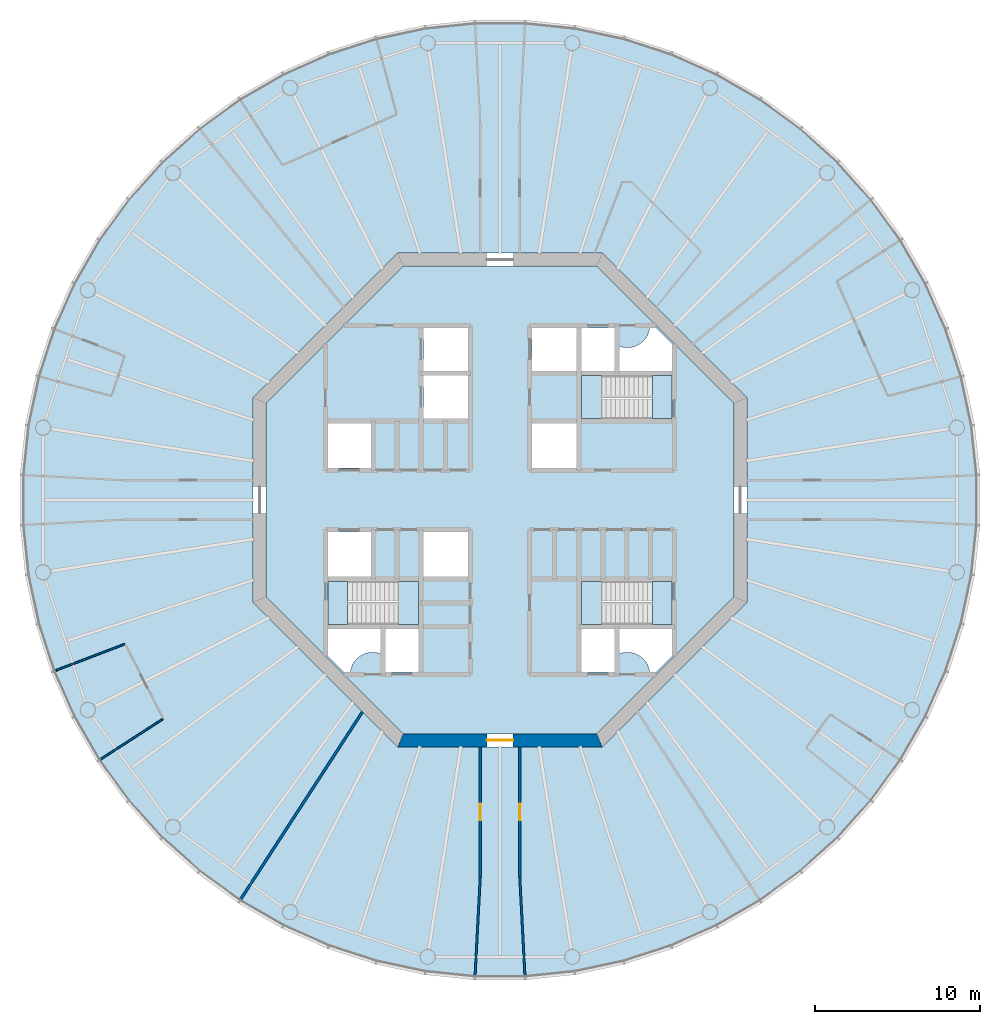
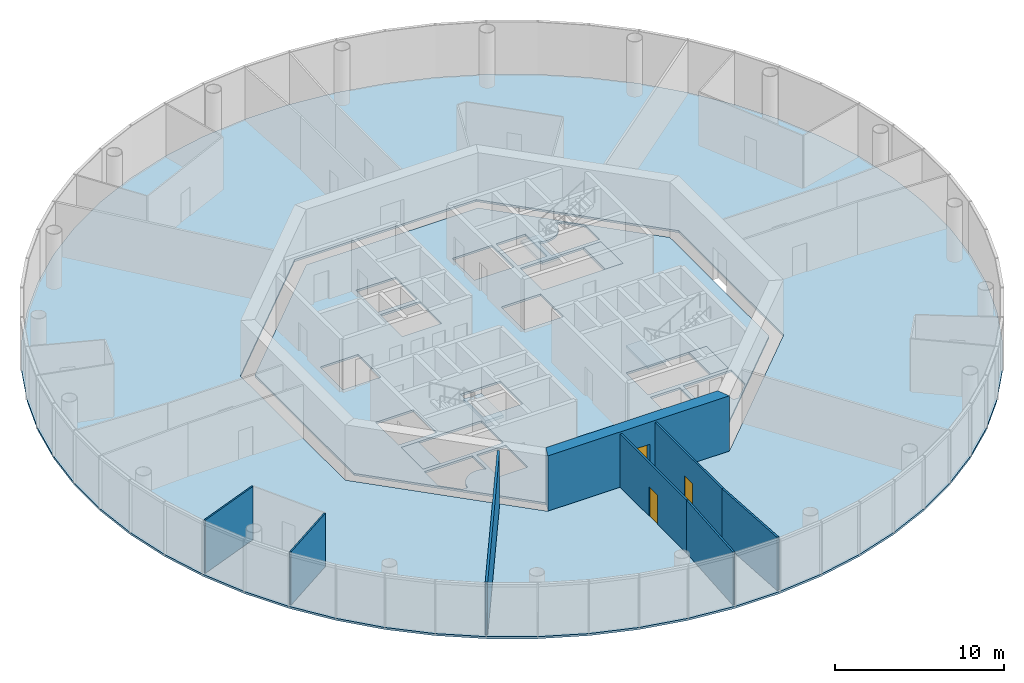
# One storey, part 2 of 13: 8 slabs, 8 walls, 3 doors, 3 openings, 3 elements without a shape of their own.
"""IFC4 building model written with IfcOpenShell, lengths in metres."""

import ifcopenshell
import ifcopenshell.guid

model = None  # the IFC model being written
_history = None  # IfcOwnerHistory: only IFC2X3 demands one
_inside = {}  # id of a spatial element -> (the spatial element, [elements in it])
_under = {}  # id of a project, library or spatial element -> (it, [spatial elements below it])
_declared = {}  # id of a project -> (the project, [libraries it declares])
_typed = {}  # id of a type object -> (the type object, [elements of that type])
_made_of = {}  # id of a material, layer set ... -> (it, [elements and type objects made of it])


def new_model(schema):
    """Start an empty IFC model of exactly this schema.

    Asked for "IFC4X3", IfcOpenShell would pick the latest addendum, in which some entities
    have other attributes; the version numbers below select the first issue.
    IFC2X3 requires an IfcOwnerHistory on every rooted entity: one is made here for all.
    """
    global model, _history
    if schema == "IFC4X3":
        model = ifcopenshell.file(schema_version=(4, 3, 0, 0))
    else:
        model = ifcopenshell.file(schema=schema)
    _inside.clear()
    _under.clear()
    _declared.clear()
    _typed.clear()
    _made_of.clear()
    _history = None
    if model.schema == "IFC2X3":
        org = make("IfcOrganization", Name="unknown")
        user = make(
            "IfcPersonAndOrganization",
            ThePerson=make("IfcPerson", FamilyName="unknown"),
            TheOrganization=org,
        )
        app = make(
            "IfcApplication",
            ApplicationDeveloper=org,
            Version="unknown",
            ApplicationFullName="unknown",
            ApplicationIdentifier="unknown",
        )
        _history = make(
            "IfcOwnerHistory",
            OwningUser=user,
            OwningApplication=app,
            ChangeAction="ADDED",
            CreationDate=0,
        )
    return model


def make(cls, **values):
    """One entity of the class cls with the attributes given. An attribute that is None is left unset."""
    return model.create_entity(
        cls, **{name: value for name, value in values.items() if value is not None}
    )


def rooted(cls, **values):
    """An entity with a GlobalId (a new one), such as an element, a storey or a relation."""
    return make(cls, GlobalId=ifcopenshell.guid.new(), OwnerHistory=_history, **values)


def si_unit(unit_type, name, prefix=None):
    """IfcSIUnit, for example si_unit("LENGTHUNIT", "METRE", prefix="MILLI")."""
    return make("IfcSIUnit", UnitType=unit_type, Prefix=prefix, Name=name)


def assignment(units):
    """IfcUnitAssignment: the units of a project."""
    return None if units is None else make("IfcUnitAssignment", Units=units)


def point(xyz):
    """IfcCartesianPoint."""
    return None if xyz is None else make("IfcCartesianPoint", Coordinates=xyz)


def direction(xyz):
    """IfcDirection."""
    return None if xyz is None else make("IfcDirection", DirectionRatios=xyz)


def frame(location, z_axis=None, x_axis=None):
    """IfcAxis2Placement3D, a coordinate frame: its origin and axes. An axis left out is left unset."""
    return make(
        "IfcAxis2Placement3D",
        Location=point(location),
        Axis=direction(z_axis),
        RefDirection=direction(x_axis),
    )


def frame_2d(location, x_axis=None):
    """IfcAxis2Placement2D, a coordinate frame in the plane: its origin and x axis."""
    return make(
        "IfcAxis2Placement2D", Location=point(location), RefDirection=direction(x_axis)
    )


def origin():
    """The frame at (0, 0, 0) with its axes left unset."""
    return frame((0.0, 0.0, 0.0))


def place(relative_to, where):
    """IfcLocalPlacement: puts the frame where relative to a parent placement (None: the world)."""
    return make(
        "IfcLocalPlacement", PlacementRelTo=relative_to, RelativePlacement=where
    )


def context(
    kind, dimensions, precision=None, world=None, true_north=None, identifier=None
):
    """IfcGeometricRepresentationContext, for example the 3D "Model" context."""
    return make(
        "IfcGeometricRepresentationContext",
        ContextIdentifier=identifier,
        ContextType=kind,
        CoordinateSpaceDimension=dimensions,
        Precision=precision,
        WorldCoordinateSystem=world,
        TrueNorth=true_north,
    )


def subcontext(parent, identifier, kind, view, scale=None):
    """IfcGeometricRepresentationSubContext, for example "Body" below "Model"."""
    return make(
        "IfcGeometricRepresentationSubContext",
        ContextIdentifier=identifier,
        ContextType=kind,
        ParentContext=parent,
        TargetScale=scale,
        TargetView=view,
    )


def project(units=None, contexts=None):
    """IfcProject with its units and contexts."""
    return rooted(
        "IfcProject",
        Name="project",
        RepresentationContexts=contexts,
        UnitsInContext=assignment(units),
    )


def spatial(cls, under=None, at=None, **own):
    """A site, building, storey or space (cls), placed at a placement, below another one or the project."""
    s = rooted(cls, ObjectPlacement=at, **own)
    if under is not None:
        _under.setdefault(under.id(), (under, []))[1].append(s)
    return s


def polyline(points):
    """IfcPolyline through the points."""
    return make("IfcPolyline", Points=[point(p) for p in points])


def profile(cls, at=None, kind="AREA", **sizes):
    """A parametric profile (cls). Its sizes go by their IFC names, for example OverallWidth=200.0."""
    return make(cls, ProfileType=kind, Position=at, **sizes)


def rectangle(**sizes):
    """IfcRectangleProfileDef."""
    return profile("IfcRectangleProfileDef", **sizes)


def outline(outer, holes=None, kind="AREA"):
    """IfcArbitraryClosedProfileDef: a profile drawn as a closed curve; with holes, ...WithVoids."""
    if holes is None:
        return make("IfcArbitraryClosedProfileDef", ProfileType=kind, OuterCurve=outer)
    return make(
        "IfcArbitraryProfileDefWithVoids",
        ProfileType=kind,
        OuterCurve=outer,
        InnerCurves=holes,
    )


def extrude(swept, where, along, depth):
    """IfcExtrudedAreaSolid: the profile swept, set in the frame where, extruded along a direction by depth."""
    return make(
        "IfcExtrudedAreaSolid",
        SweptArea=swept,
        Position=where,
        ExtrudedDirection=direction(along),
        Depth=depth,
    )


def shape(context_of_items, identifier, shape_type, items):
    """IfcShapeRepresentation: the items that make up one representation, for example the "Body"."""
    return make(
        "IfcShapeRepresentation",
        ContextOfItems=context_of_items,
        RepresentationIdentifier=identifier,
        RepresentationType=shape_type,
        Items=items,
    )


def material(Name=None, Category=None):
    """IfcMaterial."""
    return make("IfcMaterial", Name=Name, Category=Category)


def layer(
    of_material, thickness, ventilated=None, Name=None, Category=None, Priority=None
):
    """IfcMaterialLayer: one layer of a wall or slab, of a material (None: an air gap)."""
    return make(
        "IfcMaterialLayer",
        Material=of_material,
        LayerThickness=thickness,
        IsVentilated=ventilated,
        Name=Name,
        Category=Category,
        Priority=Priority,
    )


def layer_set(layers, Name=None):
    """IfcMaterialLayerSet."""
    return make("IfcMaterialLayerSet", MaterialLayers=layers, LayerSetName=Name)


def made_of(thing, what):
    """Note that an element or type object is made of a material, layer set ...; save() writes the relation."""
    if what is not None:
        _made_of.setdefault(what.id(), (what, []))[1].append(thing)
    return thing


def type_object(cls, material=None, **own):
    """A type object (cls), such as IfcWallType, which elements share."""
    return made_of(rooted(cls, **own), material)


def element(
    cls,
    number,
    at=None,
    inside=None,
    cuts=None,
    type_object=None,
    material=None,
    context=None,
    identifier="Body",
    shape_type=None,
    held_by="IfcProductDefinitionShape",
    body=None,
    shapes=None,
    **own,
):
    """One element of the class cls, such as IfcWall. Its Tag is "e" and its number.

    at: its placement. inside: the storey or other place that contains it. cuts: it is an
    opening in that element (IfcRelVoidsElement). A single representation is given by context,
    identifier, shape_type and body (its items); several are given by shapes. held_by: the class
    of the entity that holds the representations. save() writes the other relations.
    """
    e = rooted(cls, Tag="e%d" % number, ObjectPlacement=at, **own)
    if body is not None:
        shapes = [shape(context, identifier, shape_type, body)]
    if shapes is not None:
        e.Representation = make(held_by, Representations=shapes)
    if inside is not None:
        _inside.setdefault(inside.id(), (inside, []))[1].append(e)
    if cuts is not None:
        rooted(
            "IfcRelVoidsElement", RelatingBuildingElement=cuts, RelatedOpeningElement=e
        )
    if type_object is not None:
        _typed.setdefault(type_object.id(), (type_object, []))[1].append(e)
    return made_of(e, material)


def fill(opening, filler):
    """IfcRelFillsElement: the door or window that sits in an opening."""
    return rooted(
        "IfcRelFillsElement",
        RelatingOpeningElement=opening,
        RelatedBuildingElement=filler,
    )


def aggregate(whole, parts):
    """IfcRelAggregates: a whole, such as a stair, and the parts it consists of."""
    return rooted("IfcRelAggregates", RelatingObject=whole, RelatedObjects=parts)


def save(model, path):
    """Write the relations noted so far, then the file.

    IfcRelAggregates (storeys below a building ...), IfcRelContainedInSpatialStructure (elements
    in a storey), IfcRelDefinesByType, IfcRelAssociatesMaterial and IfcRelDeclares: one each for
    every whole, place, type object, material and project.
    """
    for whole, parts in _under.values():
        aggregate(whole, parts)
    for where, things in _inside.values():
        rooted(
            "IfcRelContainedInSpatialStructure",
            RelatedElements=things,
            RelatingStructure=where,
        )
    for kind, things in _typed.values():
        rooted("IfcRelDefinesByType", RelatedObjects=things, RelatingType=kind)
    for what, things in _made_of.values():
        rooted("IfcRelAssociatesMaterial", RelatedObjects=things, RelatingMaterial=what)
    for by, libraries in _declared.values():
        rooted("IfcRelDeclares", RelatingContext=by, RelatedDefinitions=libraries)
    model.write(path)


model = new_model("IFC4")

# Units and contexts
model_context = context("Model", 3, precision=1e-05, world=origin(), true_north=direction((0.0, 1.0)))
body_context = subcontext(model_context, "Body", "Model", "MODEL_VIEW")
ifc_project = project(units=[si_unit("LENGTHUNIT", "METRE"), si_unit("AREAUNIT", "SQUARE_METRE"), si_unit("VOLUMEUNIT", "CUBIC_METRE"), si_unit("PLANEANGLEUNIT", "RADIAN"), si_unit("MASSUNIT", "GRAM", prefix="KILO")], contexts=[model_context])

# Site, building, storey
site_placement = place(None, origin())
site = spatial("IfcSite", under=ifc_project, at=site_placement, CompositionType="ELEMENT")
building_placement = place(site_placement, origin())
building = spatial("IfcBuilding", under=site, at=building_placement, Name="Entoto Ring Tower", CompositionType="ELEMENT")
storey_placement = place(building_placement, frame((0.0, 0.0, 314.0)))
storey = spatial("IfcBuildingStorey", under=building, at=storey_placement, Name="L72", CompositionType="ELEMENT", Elevation=314.0)

# Slabs
ifc_material_1 = material(Name="Concrete C30/37", Category="concrete")
ifc_layer_1 = layer(ifc_material_1, 0.14990234375)
ifc_layer_set_1 = layer_set([ifc_layer_1], Name="Concrete C30/37")
slab_type_1 = type_object("IfcSlabType", Name="Composite floor slab 150 mm", PredefinedType="FLOOR", material=ifc_layer_set_1)
slab_1_placement = place(storey_placement, frame((0.0, 0.0, -0.14990234375)))
element("IfcSlab", 1, at=slab_1_placement, inside=storey, type_object=slab_type_1, Name="Floor slab L72", PredefinedType="FLOOR", context=body_context, shape_type="SweptSolid", body=[
    extrude(outline(polyline([(118.74169921875, 84.55224609375), (118.1083984375, 87.53173828125), (117.167236328125, 90.428466796875), (115.92822265625, 93.211181640625), (114.4052734375, 95.848876953125), (112.614990234375, 98.313232421875), (110.576904296875, 100.576904296875), (108.313232421875, 102.614990234375), (105.848876953125, 104.4052734375), (103.211181640625, 105.92822265625), (100.428466796875, 107.167236328125), (97.53173828125, 108.1083984375), (94.55224609375, 108.74169921875), (91.52294921875, 109.06005859375), (88.47705078125, 109.06005859375), (85.44775390625, 108.74169921875), (82.46826171875, 108.1083984375), (79.571533203125, 107.167236328125), (76.788818359375, 105.92822265625), (74.151123046875, 104.4052734375), (71.686767578125, 102.614990234375), (69.423095703125, 100.576904296875), (67.385009765625, 98.313232421875), (65.5947265625, 95.848876953125), (64.07177734375, 93.211181640625), (62.832763671875, 90.428466796875), (61.8916015625, 87.53173828125), (61.25830078125, 84.55224609375), (60.93994140625, 81.52294921875), (60.93994140625, 78.47705078125), (61.25830078125, 75.44775390625), (61.8916015625, 72.46826171875), (62.832763671875, 69.571533203125), (64.07177734375, 66.788818359375), (65.5947265625, 64.151123046875), (67.385009765625, 61.686767578125), (69.423095703125, 59.423095703125), (71.686767578125, 57.385009765625), (74.151123046875, 55.5947265625), (76.788818359375, 54.07177734375), (79.571533203125, 52.832763671875), (82.46826171875, 51.8916015625), (85.44775390625, 51.25830078125), (88.47705078125, 50.93994140625), (91.52294921875, 50.93994140625), (94.55224609375, 51.25830078125), (97.53173828125, 51.8916015625), (100.428466796875, 52.832763671875), (103.211181640625, 54.07177734375), (105.848876953125, 55.5947265625), (108.313232421875, 57.385009765625), (110.576904296875, 59.423095703125), (112.614990234375, 61.686767578125), (114.4052734375, 64.151123046875), (115.92822265625, 66.788818359375), (117.167236328125, 69.571533203125), (118.1083984375, 72.46826171875), (118.74169921875, 75.44775390625), (119.06005859375, 78.47705078125), (119.06005859375, 81.52294921875), (118.74169921875, 84.55224609375)]), holes=[polyline([(105.0, 73.786865234375), (105.0, 86.213134765625), (96.213134765625, 95.0), (83.786865234375, 95.0), (75.0, 86.213134765625), (75.0, 73.786865234375), (83.786865234375, 65.0), (96.213134765625, 65.0), (105.0, 73.786865234375)])]), origin(), (0.0, 0.0, 1.0), 0.14990234375),
])
ifc_material_2 = material(Name="Concrete C40/50", Category="concrete")
ifc_layer_2 = layer(ifc_material_2, 0.14990234375)
ifc_layer_set_2 = layer_set([ifc_layer_2], Name="Concrete C40/50")
slab_type_2 = type_object("IfcSlabType", Name="Core floor slab 150 mm reinforced concrete C40/50", PredefinedType="FLOOR", material=ifc_layer_set_2)
slab_2_placement = place(storey_placement, frame((0.0, 0.0, -0.14990234375)))
element("IfcSlab", 2, at=slab_2_placement, inside=storey, type_object=slab_type_2, Name="Core floor L72", PredefinedType="FLOOR", context=body_context, shape_type="SweptSolid", body=[
    extrude(outline(polyline([(104.199951171875, 74.1181640625), (104.199951171875, 85.8818359375), (95.8818359375, 94.199951171875), (84.1181640625, 94.199951171875), (75.800048828125, 85.8818359375), (75.800048828125, 74.1181640625), (84.1181640625, 65.800048828125), (95.8818359375, 65.800048828125), (104.199951171875, 74.1181640625)]), holes=[polyline([(100.449951171875, 84.949951171875), (100.449951171875, 87.550048828125), (94.949951171875, 87.550048828125), (94.949951171875, 84.949951171875), (100.449951171875, 84.949951171875)]), polyline([(85.050048828125, 72.449951171875), (85.050048828125, 75.050048828125), (79.550048828125, 75.050048828125), (79.550048828125, 72.449951171875), (85.050048828125, 72.449951171875)]), polyline([(100.449951171875, 72.449951171875), (100.449951171875, 75.050048828125), (94.949951171875, 75.050048828125), (94.949951171875, 72.449951171875), (100.449951171875, 72.449951171875)]), polyline([(94.949951171875, 90.449951171875), (94.949951171875, 87.85009765625), (96.949951171875, 87.85009765625), (96.949951171875, 90.449951171875), (94.949951171875, 90.449951171875)]), polyline([(94.949951171875, 72.14990234375), (94.949951171875, 69.550048828125), (96.949951171875, 69.550048828125), (96.949951171875, 72.14990234375), (94.949951171875, 72.14990234375)]), polyline([(83.050048828125, 72.14990234375), (83.050048828125, 69.550048828125), (85.050048828125, 69.550048828125), (85.050048828125, 72.14990234375), (83.050048828125, 72.14990234375)]), polyline([(79.550048828125, 81.949951171875), (82.14990234375, 81.949951171875), (82.14990234375, 84.64990234375), (79.550048828125, 84.64990234375), (79.550048828125, 81.949951171875)]), polyline([(79.550048828125, 75.35009765625), (82.14990234375, 75.35009765625), (82.14990234375, 78.050048828125), (79.550048828125, 78.050048828125), (79.550048828125, 75.35009765625)]), polyline([(91.949951171875, 87.85009765625), (94.64990234375, 87.85009765625), (94.64990234375, 90.449951171875), (91.949951171875, 90.449951171875), (91.949951171875, 87.85009765625)]), polyline([(91.949951171875, 81.949951171875), (94.64990234375, 81.949951171875), (94.64990234375, 84.64990234375), (91.949951171875, 84.64990234375), (91.949951171875, 81.949951171875)]), polyline([(85.35009765625, 75.35009765625), (88.050048828125, 75.35009765625), (88.050048828125, 78.050048828125), (85.35009765625, 78.050048828125), (85.35009765625, 75.35009765625)]), polyline([(85.35009765625, 84.949951171875), (88.050048828125, 84.949951171875), (88.050048828125, 87.550048828125), (85.35009765625, 87.550048828125), (85.35009765625, 84.949951171875)]), polyline([(85.35009765625, 87.85009765625), (88.050048828125, 87.85009765625), (88.050048828125, 90.449951171875), (85.35009765625, 90.449951171875), (85.35009765625, 87.85009765625)]), polyline([(97.199951171875, 89.368408203125), (97.199951171875, 87.800048828125), (100.5, 87.800048828125), (100.5, 89.4404296875), (99.4404296875, 90.5), (99.09521484375, 90.5), (99.093505859375, 90.4677734375), (99.07421875, 90.336669921875), (99.0419921875, 90.2080078125), (98.997314453125, 90.08349609375), (98.940673828125, 89.963623046875), (98.87255859375, 89.85009765625), (98.793701171875, 89.74365234375), (98.70458984375, 89.6455078125), (98.6064453125, 89.556396484375), (98.5, 89.4775390625), (98.386474609375, 89.409423828125), (98.2666015625, 89.352783203125), (98.141845703125, 89.30810546875), (98.013427734375, 89.27587890625), (97.88232421875, 89.256591796875), (97.75, 89.25), (97.61767578125, 89.256591796875), (97.486572265625, 89.27587890625), (97.358154296875, 89.30810546875), (97.2333984375, 89.352783203125), (97.199951171875, 89.368408203125)]), polyline([(80.5595703125, 69.5), (80.90478515625, 69.5), (80.906494140625, 69.5322265625), (80.92578125, 69.663330078125), (80.9580078125, 69.7919921875), (81.002685546875, 69.91650390625), (81.059326171875, 70.036376953125), (81.12744140625, 70.14990234375), (81.206298828125, 70.25634765625), (81.29541015625, 70.3544921875), (81.3935546875, 70.443603515625), (81.5, 70.5224609375), (81.613525390625, 70.590576171875), (81.7333984375, 70.647216796875), (81.858154296875, 70.69189453125), (81.986572265625, 70.72412109375), (82.11767578125, 70.743408203125), (82.25, 70.75), (82.38232421875, 70.743408203125), (82.513427734375, 70.72412109375), (82.641845703125, 70.69189453125), (82.7666015625, 70.647216796875), (82.800048828125, 70.631591796875), (82.800048828125, 72.199951171875), (79.5, 72.199951171875), (79.5, 70.5595703125), (80.5595703125, 69.5)]), polyline([(99.09521484375, 69.5), (99.4404296875, 69.5), (100.5, 70.5595703125), (100.5, 72.199951171875), (97.199951171875, 72.199951171875), (97.199951171875, 70.631591796875), (97.2333984375, 70.647216796875), (97.358154296875, 70.69189453125), (97.486572265625, 70.72412109375), (97.61767578125, 70.743408203125), (97.75, 70.75), (97.88232421875, 70.743408203125), (98.013427734375, 70.72412109375), (98.141845703125, 70.69189453125), (98.2666015625, 70.647216796875), (98.386474609375, 70.590576171875), (98.5, 70.5224609375), (98.6064453125, 70.443603515625), (98.70458984375, 70.3544921875), (98.793701171875, 70.25634765625), (98.87255859375, 70.14990234375), (98.940673828125, 70.036376953125), (98.997314453125, 69.91650390625), (99.0419921875, 69.7919921875), (99.07421875, 69.663330078125), (99.093505859375, 69.5322265625), (99.09521484375, 69.5)])]), origin(), (0.0, 0.0, 1.0), 0.14990234375),
])

# Stair, slabs
ifc_material_3 = material(Name="Concrete C40/50", Category="concrete")
stair_type = type_object("IfcStairType", Name="Exit stair 1200 mm dog-leg reinforced concrete", PredefinedType="HALF_TURN_STAIR", material=ifc_material_3)
stair_1_placement = place(storey_placement, origin())
stair_1 = element("IfcStair", 3, at=stair_1_placement, inside=storey, type_object=stair_type, Name="Exit stair 1", PredefinedType="HALF_TURN_STAIR")
ifc_material_4 = material(Name="Concrete C40/50", Category="concrete")
ifc_layer_3 = layer(ifc_material_4, 0.199951171875)
ifc_layer_set_3 = layer_set([ifc_layer_3], Name="Concrete C40/50")
slab_type_3 = type_object("IfcSlabType", Name="Stair landing 200 mm reinforced concrete", PredefinedType="LANDING", material=ifc_layer_set_3)
slab_3_placement = place(storey_placement, frame((0.0, 0.0, -0.199951171875)))
slab_3 = element("IfcSlab", 4, at=slab_3_placement, type_object=slab_type_3, Name="ST1 landing 1", PredefinedType="LANDING", context=body_context, shape_type="SweptSolid", body=[
    extrude(outline(polyline([(100.449951171875, 84.949951171875), (100.449951171875, 87.550048828125), (99.25, 87.550048828125), (99.25, 84.949951171875), (100.449951171875, 84.949951171875)])), origin(), (0.0, 0.0, 1.0), 0.199951171875),
])
slab_4_placement = place(storey_placement, frame((0.0, 0.0, 1.800048828125)))
slab_4 = element("IfcSlab", 5, at=slab_4_placement, type_object=slab_type_3, Name="ST1 landing 2", PredefinedType="LANDING", context=body_context, shape_type="SweptSolid", body=[
    extrude(outline(polyline([(94.949951171875, 84.949951171875), (96.169921875, 84.949951171875), (96.169921875, 87.550048828125), (94.949951171875, 87.550048828125), (94.949951171875, 84.949951171875)])), origin(), (0.0, 0.0, 1.0), 0.199951171875),
])
aggregate(stair_1, [slab_3, slab_4])

stair_2_placement = place(storey_placement, origin())
stair_2 = element("IfcStair", 6, at=stair_2_placement, inside=storey, type_object=stair_type, Name="Exit stair 2", PredefinedType="HALF_TURN_STAIR")
slab_5_placement = place(storey_placement, frame((0.0, 0.0, -0.199951171875)))
slab_5 = element("IfcSlab", 7, at=slab_5_placement, type_object=slab_type_3, Name="ST2 landing 1", PredefinedType="LANDING", context=body_context, shape_type="SweptSolid", body=[
    extrude(outline(polyline([(80.75, 72.449951171875), (80.75, 75.050048828125), (79.550048828125, 75.050048828125), (79.550048828125, 72.449951171875), (80.75, 72.449951171875)])), origin(), (0.0, 0.0, 1.0), 0.199951171875),
])
slab_6_placement = place(storey_placement, frame((0.0, 0.0, 1.800048828125)))
slab_6 = element("IfcSlab", 8, at=slab_6_placement, type_object=slab_type_3, Name="ST2 landing 2", PredefinedType="LANDING", context=body_context, shape_type="SweptSolid", body=[
    extrude(outline(polyline([(83.830078125, 72.449951171875), (85.050048828125, 72.449951171875), (85.050048828125, 75.050048828125), (83.830078125, 75.050048828125), (83.830078125, 72.449951171875)])), origin(), (0.0, 0.0, 1.0), 0.199951171875),
])
aggregate(stair_2, [slab_5, slab_6])

stair_3_placement = place(storey_placement, origin())
stair_3 = element("IfcStair", 9, at=stair_3_placement, inside=storey, type_object=stair_type, Name="Exit stair 3", PredefinedType="HALF_TURN_STAIR")
slab_7_placement = place(storey_placement, frame((0.0, 0.0, -0.199951171875)))
slab_7 = element("IfcSlab", 10, at=slab_7_placement, type_object=slab_type_3, Name="ST3 landing 1", PredefinedType="LANDING", context=body_context, shape_type="SweptSolid", body=[
    extrude(outline(polyline([(100.449951171875, 72.449951171875), (100.449951171875, 75.050048828125), (99.25, 75.050048828125), (99.25, 72.449951171875), (100.449951171875, 72.449951171875)])), origin(), (0.0, 0.0, 1.0), 0.199951171875),
])
slab_8_placement = place(storey_placement, frame((0.0, 0.0, 1.800048828125)))
slab_8 = element("IfcSlab", 11, at=slab_8_placement, type_object=slab_type_3, Name="ST3 landing 2", PredefinedType="LANDING", context=body_context, shape_type="SweptSolid", body=[
    extrude(outline(polyline([(94.949951171875, 72.449951171875), (96.169921875, 72.449951171875), (96.169921875, 75.050048828125), (94.949951171875, 75.050048828125), (94.949951171875, 72.449951171875)])), origin(), (0.0, 0.0, 1.0), 0.199951171875),
])
aggregate(stair_3, [slab_7, slab_8])

# Wall, opening, door
ifc_material_5 = material(Name="Concrete C40/50", Category="concrete")
ifc_layer_4 = layer(ifc_material_5, 0.800048828125)
ifc_layer_set_4 = layer_set([ifc_layer_4], Name="Concrete C40/50")
wall_type_1 = type_object("IfcWallType", Name="Core shear wall 800 mm reinforced concrete C40/50", PredefinedType="SHEAR", material=ifc_layer_set_4)
wall_1_placement = place(storey_placement, frame((83.952392578125, 65.39990234375, 0.0), z_axis=(0.0, 0.0, 1.0), x_axis=(1.0, 0.0, 0.0)))
wall_1 = element("IfcWall", 12, at=wall_1_placement, inside=storey, type_object=wall_type_1, Name="wall-L72-core-6", PredefinedType="SHEAR", context=body_context, shape_type="SweptSolid", body=[
    extrude(outline(polyline([(-0.165771484375, -0.39990234375), (12.260986328125, -0.39990234375), (11.929443359375, 0.39990234375), (0.165771484375, 0.39990234375), (-0.165771484375, -0.39990234375)])), origin(), (0.0, 0.0, 1.0), 4.0),
])
opening_1_placement = place(wall_1_placement, frame((5.24755859375, 0.0, 0.0)))
opening_1 = element("IfcOpeningElement", 13, at=opening_1_placement, cuts=wall_1, Name="Opening K-04", PredefinedType="OPENING", context=body_context, shape_type="SweptSolid", body=[
    extrude(rectangle(XDim=1.60009765625, YDim=2.39990234375, at=frame_2d((0.800048828125, 1.199951171875))), frame((0.0, 0.41015625, 0.0), z_axis=(0.0, -1.0, 0.0), x_axis=(1.0, 0.0, 0.0)), (0.0, 0.0, 1.0), 0.820068359375),
])
ifc_material_6 = material(Name="Steel door leaf, fire rated", Category="steel")
ifc_layer_5 = layer(ifc_material_6, 0.050048828125)
ifc_layer_set_5 = layer_set([ifc_layer_5], Name="Steel door leaf, fire rated")
door_type_1 = type_object("IfcDoorType", Name="Entrance door FD60 1600 x 2400 double leaf", OperationType="DOUBLE_DOOR_SINGLE_SWING", PredefinedType="DOOR", material=ifc_layer_set_5)
door_1_placement = place(opening_1_placement, origin())
door_1 = element("IfcDoor", 14, at=door_1_placement, inside=storey, type_object=door_type_1, Name="Entrance door K-04", OperationType="DOUBLE_DOOR_SINGLE_SWING", OverallHeight=2.39990234375, OverallWidth=1.60009765625, PredefinedType="DOOR", context=body_context, shape_type="SweptSolid", body=[
    extrude(rectangle(XDim=1.60009765625, YDim=2.39990234375, at=frame_2d((0.800048828125, 1.199951171875))), frame((0.0, 0.02490234375, 0.0), z_axis=(0.0, -1.0, 0.0), x_axis=(1.0, 0.0, 0.0)), (0.0, 0.0, 1.0), 0.050048828125),
])
fill(opening_1, door_1)

ifc_material_7 = material(Name="Fire-resisting plasterboard on steel studs", Category="steel")
ifc_layer_6 = layer(ifc_material_7, 0.125)
ifc_layer_set_6 = layer_set([ifc_layer_6], Name="Fire-resisting plasterboard on steel studs")
wall_type_2 = type_object("IfcWallType", Name="Corridor wall 125 mm one-hour plasterboard on steel studs", PredefinedType="PARTITIONING", material=ifc_layer_set_6)
wall_2_placement = place(storey_placement, frame((88.800048828125, 57.1025390625, 0.0), z_axis=(0.0, 0.0, 1.0), x_axis=(0.0, 1.0, 0.0)))
wall_2 = element("IfcWall", 15, at=wall_2_placement, inside=storey, type_object=wall_type_2, Name="partition-L72-003", PredefinedType="PARTITIONING", context=body_context, shape_type="SweptSolid", body=[
    extrude(rectangle(XDim=7.8974609375, YDim=0.125, at=frame_2d((3.94873046875, 0.0))), origin(), (0.0, 0.0, 1.0), 3.85009765625),
])
opening_2_placement = place(wall_2_placement, frame((3.44873046875, 0.0, 0.0)))
opening_2 = element("IfcOpeningElement", 16, at=opening_2_placement, cuts=wall_2, Name="Opening A31-D11", PredefinedType="OPENING", context=body_context, shape_type="SweptSolid", body=[
    extrude(rectangle(XDim=1.0, YDim=2.10009765625, at=frame_2d((0.5, 1.050048828125))), frame((0.0, 0.072509765625, 0.0), z_axis=(0.0, -1.0, 0.0), x_axis=(1.0, 0.0, 0.0)), (0.0, 0.0, 1.0), 0.14501953125),
])
ifc_material_8 = material(Name="Fire-resisting timber door set", Category="wood")
door_type_2 = type_object("IfcDoorType", Name="Door 1000 x 2100 single leaf FD30S fire door", OperationType="NOTDEFINED", PredefinedType="DOOR", material=ifc_material_8)
door_2_placement = place(opening_2_placement, origin())
door_2 = element("IfcDoor", 17, at=door_2_placement, inside=storey, type_object=door_type_2, Name="Door A31-D11", OperationType="SINGLE_SWING_RIGHT", OverallHeight=2.10009765625, OverallWidth=1.0, PredefinedType="DOOR", context=body_context, shape_type="SweptSolid", body=[
    extrude(rectangle(XDim=1.0, YDim=2.10009765625, at=frame_2d((0.5, 1.050048828125))), frame((0.0, 0.02490234375, 0.0), z_axis=(0.0, -1.0, 0.0), x_axis=(1.0, 0.0, 0.0)), (0.0, 0.0, 1.0), 0.050048828125),
])
fill(opening_2, door_2)

wall_3_placement = place(storey_placement, frame((91.199951171875, 57.1025390625, 0.0), z_axis=(0.0, 0.0, 1.0), x_axis=(0.0, 1.0, 0.0)))
wall_3 = element("IfcWall", 18, at=wall_3_placement, inside=storey, type_object=wall_type_2, Name="partition-L72-005", PredefinedType="PARTITIONING", context=body_context, shape_type="SweptSolid", body=[
    extrude(rectangle(XDim=7.8974609375, YDim=0.125, at=frame_2d((3.94873046875, 0.0))), origin(), (0.0, 0.0, 1.0), 3.85009765625),
])
opening_3_placement = place(wall_3_placement, frame((3.44873046875, 0.0, 0.0)))
opening_3 = element("IfcOpeningElement", 19, at=opening_3_placement, cuts=wall_3, Name="Opening A31-D12", PredefinedType="OPENING", context=body_context, shape_type="SweptSolid", body=[
    extrude(rectangle(XDim=1.0, YDim=2.10009765625, at=frame_2d((0.5, 1.050048828125))), frame((0.0, 0.072509765625, 0.0), z_axis=(0.0, -1.0, 0.0), x_axis=(1.0, 0.0, 0.0)), (0.0, 0.0, 1.0), 0.14501953125),
])
door_3_placement = place(opening_3_placement, frame((1.0, 0.0, 0.0), z_axis=(0.0, 0.0, 1.0), x_axis=(-1.0, 0.0, 0.0)))
door_3 = element("IfcDoor", 20, at=door_3_placement, inside=storey, type_object=door_type_2, Name="Door A31-D12", OperationType="SINGLE_SWING_LEFT", OverallHeight=2.10009765625, OverallWidth=1.0, PredefinedType="DOOR", context=body_context, shape_type="SweptSolid", body=[
    extrude(rectangle(XDim=1.0, YDim=2.10009765625, at=frame_2d((0.5, 1.050048828125))), frame((0.0, 0.02490234375, 0.0), z_axis=(0.0, -1.0, 0.0), x_axis=(1.0, 0.0, 0.0)), (0.0, 0.0, 1.0), 0.050048828125),
])
fill(opening_3, door_3)

# Walls
for number, where, z_axis, x_axis, name in (
    (21, (88.4853515625, 51.099609375, 0.0), (0.0, 0.0, 1.0), (0.052339150565, 0.998629367342, 0.0), "partition-L72-011"),
    (22, (91.5146484375, 51.099609375, 0.0), (0.0, 0.0, 1.0), (-0.052339150565, 0.998629367342, 0.0), "partition-L72-014"),
):
    element("IfcWall", number, at=place(storey_placement, frame(where, z_axis=z_axis, x_axis=x_axis)), inside=storey, type_object=wall_type_2, Name=name, PredefinedType="PARTITIONING", context=body_context, shape_type="SweptSolid", body=[
        extrude(rectangle(XDim=6.008056640625, YDim=0.125, at=frame_2d((3.00390625, 0.0))), origin(), (0.0, 0.0, 1.0), 3.85009765625),
    ])
ifc_material_9 = material(Name="Plasterboard on steel studs", Category="steel")
ifc_layer_7 = layer(ifc_material_9, 0.10009765625)
ifc_layer_set_7 = layer_set([ifc_layer_7], Name="Plasterboard on steel studs")
wall_type_3 = type_object("IfcWallType", Name="Partition 100 mm plasterboard on steel studs", PredefinedType="PARTITIONING", material=ifc_layer_set_7)
for number, where, z_axis, x_axis, name in (
    (23, (65.72900390625, 64.238037109375, 0.0), (0.0, 0.0, 1.0), (0.838650544792, 0.544669866726, 0.0), "partition-L72-030"),
    (24, (62.982177734375, 69.62890625, 0.0), (0.0, 0.0, 1.0), (0.933578905137, 0.358371912798, 0.0), "partition-L72-032"),
):
    element("IfcWall", number, at=place(storey_placement, frame(where, z_axis=z_axis, x_axis=x_axis)), inside=storey, type_object=wall_type_3, Name=name, PredefinedType="PARTITIONING", context=body_context, shape_type="SweptSolid", body=[
        extrude(rectangle(XDim=4.500244140625, YDim=0.10009765625, at=frame_2d((2.25, 0.0))), origin(), (0.0, 0.0, 1.0), 3.85009765625),
    ])
ifc_material_10 = material(Name="Fire-resisting acoustic plasterboard on steel studs", Category="steel")
ifc_layer_8 = layer(ifc_material_10, 0.14990234375)
ifc_layer_set_8 = layer_set([ifc_layer_8], Name="Fire-resisting acoustic plasterboard on steel studs")
wall_type_4 = type_object("IfcWallType", Name="Party wall 150 mm one-hour acoustic plasterboard on steel studs", PredefinedType="PARTITIONING", material=ifc_layer_set_8)
wall_4_placement = place(storey_placement, frame((74.238037109375, 55.72900390625, 0.0), z_axis=(0.0, 0.0, 1.0), x_axis=(0.544650850813, 0.838662894558, 0.0)))
element("IfcWall", 25, at=wall_4_placement, inside=storey, type_object=wall_type_4, Name="partition-L72-019", PredefinedType="PARTITIONING", context=body_context, shape_type="SweptSolid", body=[
    extrude(rectangle(XDim=13.60498046875, YDim=0.14990234375, at=frame_2d((6.802490234375, 0.0))), origin(), (0.0, 0.0, 1.0), 3.85009765625),
])

save(model, "model.ifc")
